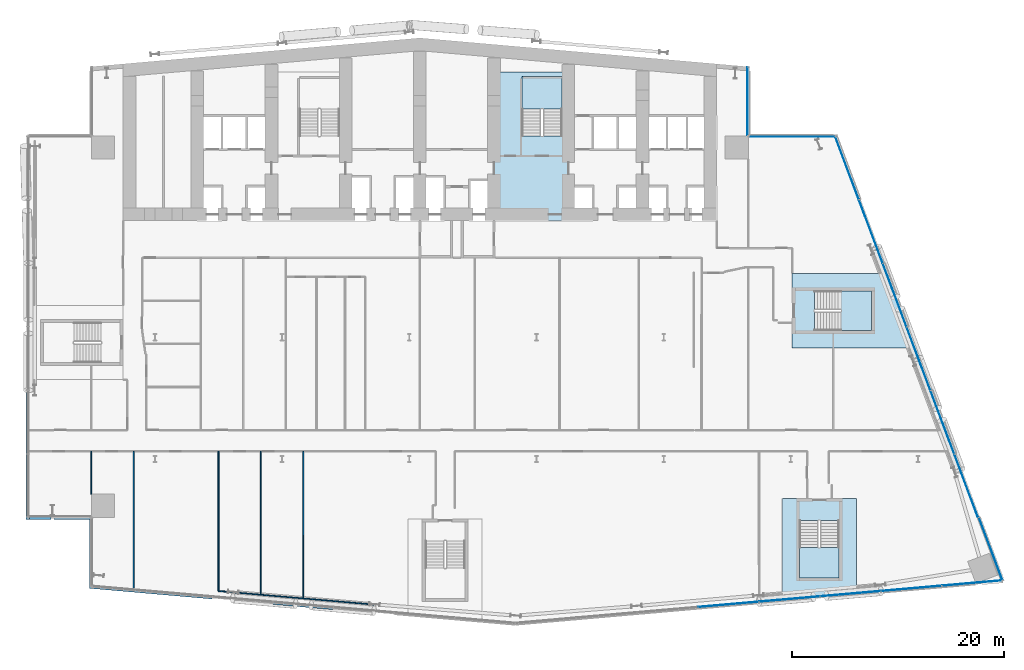
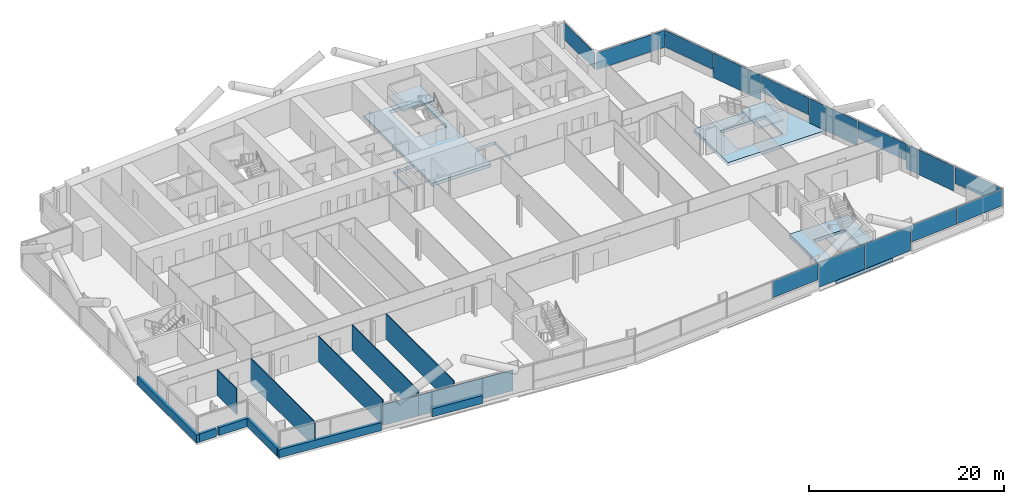
# One storey, part 12 of 27: 14 plates, 13 walls, 6 slabs, 7 elements without a shape of their own.
"""IFC4 building model written with IfcOpenShell, lengths in metres."""

from ifc_helpers import new_model, si_unit, direction, frame, frame_2d, origin, origin_2d, place, context, subcontext, project, spatial, polyline, rectangle, outline, extrude, material, layer, layer_set, type_object, element, aggregate, save


model = new_model("IFC4")

# Units and contexts
model_context = context("Model", 3, precision=1e-05, world=origin(), true_north=direction((0.0, 1.0)))
body_context = subcontext(model_context, "Body", "Model", "MODEL_VIEW")
ifc_project = project(units=[si_unit("LENGTHUNIT", "METRE"), si_unit("AREAUNIT", "SQUARE_METRE"), si_unit("VOLUMEUNIT", "CUBIC_METRE"), si_unit("PLANEANGLEUNIT", "RADIAN"), si_unit("MASSUNIT", "GRAM", prefix="KILO")], contexts=[model_context])

# Site, building, storey
site_placement = place(None, origin())
site = spatial("IfcSite", under=ifc_project, at=site_placement, CompositionType="ELEMENT")
building_placement = place(site_placement, origin())
building = spatial("IfcBuilding", under=site, at=building_placement, Name="Wharfspan Tower", CompositionType="ELEMENT")
storey_placement = place(building_placement, frame((0.0, 0.0, 45.100098)))
storey = spatial("IfcBuildingStorey", under=building, at=storey_placement, Name="L07", CompositionType="ELEMENT", Elevation=45.100098)

# Curtain wall, plates
ifc_material_1 = material(Name="Aluminium 6063-T6", Category="aluminium")
curtain_wall_type_1 = type_object("IfcCurtainWallType", Name="CURTAIN WALL FACETED FRONT", PredefinedType="NOTDEFINED", material=ifc_material_1)
curtain_wall_1_placement = place(storey_placement, origin())
curtain_wall_1 = element("IfcCurtainWall", 1, at=curtain_wall_1_placement, inside=storey, type_object=curtain_wall_type_1, Name="Curtain wall S2", PredefinedType="NOTDEFINED")
ifc_material_2 = material(Name="Glass clear low-iron double glazing", Category="glass")
ifc_layer_1 = layer(ifc_material_2, 0.040039)
ifc_layer_set_1 = layer_set([ifc_layer_1], Name="Glass clear low-iron double glazing")
plate_type_1 = type_object("IfcPlateType", Name="GLASS PANEL FACETED FRONT 40", PredefinedType="CURTAIN_PANEL", material=ifc_layer_set_1)
plate_1_placement = place(storey_placement, frame((66.119873, -2.204102, 0.999756), z_axis=(0.0, 0.0, 1.0), x_axis=(0.996197, 0.087156, 0.0)))
plate_1 = element("IfcPlate", 2, at=plate_1_placement, type_object=plate_type_1, Name="Curtain wall S2 panel 4", PredefinedType="CURTAIN_PANEL", context=body_context, shape_type="SweptSolid", body=[
    extrude(rectangle(XDim=5.711914, YDim=0.040039, at=origin_2d()), origin(), (0.0, 0.0, 1.0), 2.120117),
])
plate_2_placement = place(storey_placement, frame((83.369873, -0.694824, 0.999756), z_axis=(0.0, 0.0, 1.0), x_axis=(0.996197, 0.087156, 0.0)))
plate_2 = element("IfcPlate", 3, at=plate_2_placement, type_object=plate_type_1, Name="Curtain wall S2 panel 7", PredefinedType="CURTAIN_PANEL", context=body_context, shape_type="SweptSolid", body=[
    extrude(rectangle(XDim=5.711914, YDim=0.040039, at=origin_2d()), origin(), (0.0, 0.0, 1.0), 2.120117),
])
plate_3_placement = place(storey_placement, frame((89.104736, -0.193115, 0.999756), z_axis=(0.0, 0.0, 1.0), x_axis=(0.996197, 0.087156, 0.0)))
plate_3 = element("IfcPlate", 4, at=plate_3_placement, type_object=plate_type_1, Name="Curtain wall S2 panel 8", PredefinedType="CURTAIN_PANEL", context=body_context, shape_type="SweptSolid", body=[
    extrude(rectangle(XDim=5.681885, YDim=0.040039, at=origin_2d()), origin(), (0.0, 0.0, 1.0), 2.120117),
])

curtain_wall_type_2 = type_object("IfcCurtainWallType", Name="CURTAIN WALL PROW AND END", PredefinedType="NOTDEFINED", material=ifc_material_1)
curtain_wall_2_placement = place(storey_placement, origin())
curtain_wall_2 = element("IfcCurtainWall", 5, at=curtain_wall_2_placement, inside=storey, type_object=curtain_wall_type_2, Name="Curtain wall E", PredefinedType="NOTDEFINED")
ifc_layer_2 = layer(ifc_material_2, 0.040039)
ifc_layer_set_2 = layer_set([ifc_layer_2], Name="Glass clear low-iron double glazing")
plate_type_2 = type_object("IfcPlateType", Name="GLASS PANEL PROW AND END 40", PredefinedType="CURTAIN_PANEL", material=ifc_layer_set_2)
plate_4_placement = place(storey_placement, frame((90.869629, 3.01416, 0.999756), z_axis=(0.0, 0.0, 1.0), x_axis=(-0.351123, 0.936328, 0.0)))
plate_4 = element("IfcPlate", 6, at=plate_4_placement, type_object=plate_type_2, Name="Curtain wall E panel 1", PredefinedType="CURTAIN_PANEL", context=body_context, shape_type="SweptSolid", body=[
    extrude(rectangle(XDim=6.318115, YDim=0.040039, at=origin_2d()), origin(), (0.0, 0.0, 1.0), 2.120117),
])
plate_5_placement = place(storey_placement, frame((86.300049, 14.971924, 0.999756), z_axis=(0.0, 0.0, 1.0), x_axis=(-0.351123, 0.936328, 0.0)))
plate_5 = element("IfcPlate", 7, at=plate_5_placement, type_object=plate_type_2, Name="Curtain wall E panel 3", PredefinedType="CURTAIN_PANEL", context=body_context, shape_type="SweptSolid", body=[
    extrude(rectangle(XDim=6.3479, YDim=0.040039, at=origin_2d()), origin(), (0.0, 0.0, 1.0), 2.120117),
])
plate_6_placement = place(storey_placement, frame((81.800049, 26.971924, 0.999756), z_axis=(0.0, 0.0, 1.0), x_axis=(-0.351123, 0.936328, 0.0)))
plate_6 = element("IfcPlate", 8, at=plate_6_placement, type_object=plate_type_2, Name="Curtain wall E panel 5", PredefinedType="CURTAIN_PANEL", context=body_context, shape_type="SweptSolid", body=[
    extrude(rectangle(XDim=6.3479, YDim=0.040039, at=origin_2d()), origin(), (0.0, 0.0, 1.0), 2.120117),
])
plate_7_placement = place(storey_placement, frame((77.30542, 38.957764, 0.999756), z_axis=(0.0, 0.0, 1.0), x_axis=(-0.351123, 0.936328, 0.0)))
plate_7 = element("IfcPlate", 9, at=plate_7_placement, type_object=plate_type_2, Name="Curtain wall E panel 7", PredefinedType="CURTAIN_PANEL", context=body_context, shape_type="SweptSolid", body=[
    extrude(rectangle(XDim=6.318115, YDim=0.040039, at=origin_2d()), origin(), (0.0, 0.0, 1.0), 2.120117),
])

# Curtain wall, plate
curtain_wall_3_placement = place(storey_placement, origin())
curtain_wall_3 = element("IfcCurtainWall", 10, at=curtain_wall_3_placement, inside=storey, type_object=curtain_wall_type_2, Name="Curtain wall NRE-H", PredefinedType="NOTDEFINED")
plate_8_placement = place(storey_placement, frame((72.125, 41.919922, 0.999756), z_axis=(0.0, 0.0, 1.0), x_axis=(-1.0, 0.0, 0.0)))
plate_8 = element("IfcPlate", 11, at=plate_8_placement, type_object=plate_type_2, Name="Curtain wall NRE-H panel 1", PredefinedType="CURTAIN_PANEL", context=body_context, shape_type="SweptSolid", body=[
    extrude(rectangle(XDim=8.129883, YDim=0.040039, at=origin_2d()), origin(), (0.0, 0.0, 1.0), 2.120117),
])
aggregate(curtain_wall_3, [plate_8])

curtain_wall_4_placement = place(storey_placement, origin())
curtain_wall_4 = element("IfcCurtainWall", 12, at=curtain_wall_4_placement, inside=storey, type_object=curtain_wall_type_2, Name="Curtain wall NRE-V", PredefinedType="NOTDEFINED")
plate_9_placement = place(storey_placement, frame((67.919922, 45.262451, 0.999756), z_axis=(0.0, 0.0, 1.0), x_axis=(0.0, 1.0, 0.0)))
plate_9 = element("IfcPlate", 13, at=plate_9_placement, type_object=plate_type_2, Name="Curtain wall NRE-V panel 1", PredefinedType="CURTAIN_PANEL", context=body_context, shape_type="SweptSolid", body=[
    extrude(rectangle(XDim=6.405029, YDim=0.040039, at=origin_2d()), origin(), (0.0, 0.0, 1.0), 2.120117),
])
aggregate(curtain_wall_4, [plate_9])

# Plate
ifc_material_3 = material(Name="Aluminium composite opaque insulated panel", Category="aluminium")
ifc_layer_3 = layer(ifc_material_3, 0.040039)
ifc_layer_set_3 = layer_set([ifc_layer_3], Name="Aluminium composite opaque insulated panel")
plate_type_3 = type_object("IfcPlateType", Name="INFILL PANEL FACETED FRONT OPAQUE 40", PredefinedType="SHEET", material=ifc_layer_set_3)
plate_10_placement = place(storey_placement, frame((71.869873, -1.700928, -0.000244), z_axis=(0.0, 0.0, 1.0), x_axis=(0.996197, 0.087156, 0.0)))
plate_10 = element("IfcPlate", 14, at=plate_10_placement, type_object=plate_type_3, Name="Curtain wall S2 panel 5", PredefinedType="SHEET", context=body_context, shape_type="SweptSolid", body=[
    extrude(rectangle(XDim=5.711914, YDim=0.040039, at=origin_2d()), origin(), (0.0, 0.0, 1.0), 3.120117),
])

plate_11_placement = place(storey_placement, frame((77.619873, -1.197998, -0.000244), z_axis=(0.0, 0.0, 1.0), x_axis=(0.996197, 0.087156, 0.0)))
plate_11 = element("IfcPlate", 15, at=plate_11_placement, type_object=plate_type_3, Name="Curtain wall S2 panel 6", PredefinedType="SHEET", context=body_context, shape_type="SweptSolid", body=[
    extrude(rectangle(XDim=5.711914, YDim=0.040039, at=origin_2d()), origin(), (0.0, 0.0, 1.0), 3.120117),
])

aggregate(curtain_wall_1, [plate_1, plate_10, plate_11, plate_2, plate_3])

ifc_layer_4 = layer(ifc_material_3, 0.040039)
ifc_layer_set_4 = layer_set([ifc_layer_4], Name="Aluminium composite opaque insulated panel")
plate_type_4 = type_object("IfcPlateType", Name="INFILL PANEL PROW AND END OPAQUE 40", PredefinedType="SHEET", material=ifc_layer_set_4)
plate_12_placement = place(storey_placement, frame((88.550049, 8.971924, -0.000244), z_axis=(0.0, 0.0, 1.0), x_axis=(-0.351123, 0.936328, 0.0)))
plate_12 = element("IfcPlate", 16, at=plate_12_placement, type_object=plate_type_4, Name="Curtain wall E panel 2", PredefinedType="SHEET", context=body_context, shape_type="SweptSolid", body=[
    extrude(rectangle(XDim=6.3479, YDim=0.040039, at=origin_2d()), origin(), (0.0, 0.0, 1.0), 3.120117),
])

plate_13_placement = place(storey_placement, frame((84.050049, 20.971924, -0.000244), z_axis=(0.0, 0.0, 1.0), x_axis=(-0.351123, 0.936328, 0.0)))
plate_13 = element("IfcPlate", 17, at=plate_13_placement, type_object=plate_type_4, Name="Curtain wall E panel 4", PredefinedType="SHEET", context=body_context, shape_type="SweptSolid", body=[
    extrude(rectangle(XDim=6.3479, YDim=0.040039, at=origin_2d()), origin(), (0.0, 0.0, 1.0), 3.120117),
])

plate_14_placement = place(storey_placement, frame((79.550049, 32.971924, -0.000244), z_axis=(0.0, 0.0, 1.0), x_axis=(-0.351123, 0.936328, 0.0)))
plate_14 = element("IfcPlate", 18, at=plate_14_placement, type_object=plate_type_4, Name="Curtain wall E panel 6", PredefinedType="SHEET", context=body_context, shape_type="SweptSolid", body=[
    extrude(rectangle(XDim=6.3479, YDim=0.040039, at=origin_2d()), origin(), (0.0, 0.0, 1.0), 3.120117),
])

aggregate(curtain_wall_2, [plate_4, plate_12, plate_5, plate_13, plate_6, plate_14, plate_7])

# Slabs
ifc_material_4 = material(Name="Concrete C40/50", Category="concrete")
ifc_layer_5 = layer(ifc_material_4, 0.399902)
ifc_layer_set_5 = layer_set([ifc_layer_5], Name="Concrete C40/50")
slab_type_1 = type_object("IfcSlabType", Name="Post-tensioned flat slab 400", PredefinedType="FLOOR", material=ifc_layer_set_5)
slab_1_placement = place(storey_placement, frame((0.0, 0.0, -0.400146)))
element("IfcSlab", 19, at=slab_1_placement, inside=storey, type_object=slab_type_1, Name="Core floor slab L07 part 4", PredefinedType="FLOOR", context=body_context, shape_type="SweptSolid", body=[
    extrude(outline(polyline([(53.341309, 34.0), (53.341309, 37.258057), (51.01001, 37.258057), (51.009766, 37.258057), (51.009521, 37.258057), (51.009521, 37.258057), (51.009277, 37.258301), (51.009033, 37.258301), (51.008789, 37.258301), (51.008789, 37.258545), (51.008545, 37.258545), (51.008545, 37.258789), (51.008301, 37.258789), (51.008301, 37.259033), (51.008301, 37.259277), (51.008057, 37.259521), (51.008057, 37.259521), (51.008057, 37.259766), (51.008057, 37.26001), (51.008057, 48.008057), (43.991943, 48.008057), (43.991943, 37.860107), (43.991943, 37.859863), (43.991943, 37.859619), (43.991943, 37.859375), (43.991699, 37.859131), (43.991699, 37.859131), (43.991699, 37.858887), (43.991455, 37.858643), (43.991455, 37.858643), (43.991211, 37.858398), (43.991211, 37.858398), (43.990967, 37.858154), (43.990723, 37.858154), (43.990479, 37.858154), (43.990479, 37.85791), (43.990234, 37.85791), (43.98999, 37.85791), (41.658691, 37.85791), (41.658691, 34.0), (41.664795, 34.0), (41.664795, 37.850098), (41.664795, 37.850098), (41.664795, 37.850342), (41.664795, 37.850586), (41.664795, 37.85083), (41.664795, 37.85083), (41.665039, 37.851074), (41.665039, 37.851318), (41.665283, 37.851318), (41.665283, 37.851562), (41.665527, 37.851807), (41.665771, 37.851807), (41.666016, 37.851807), (41.666016, 37.851807), (41.66626, 37.852051), (41.666504, 37.852051), (41.666748, 37.852051), (44.0, 37.852051), (44.000244, 37.852051), (44.000488, 37.852051), (44.000488, 37.851807), (44.000732, 37.851807), (44.000977, 37.851807), (44.001221, 37.851807), (44.001221, 37.851562), (44.001465, 37.851318), (44.001465, 37.851318), (44.001709, 37.851074), (44.001709, 37.85083), (44.001709, 37.85083), (44.001953, 37.850586), (44.001953, 37.850342), (44.001953, 37.850098), (44.001953, 37.850098), (44.001953, 34.0), (50.998047, 34.0), (50.998047, 37.25), (50.998047, 37.250244), (50.998047, 37.250488), (50.998047, 37.250488), (50.998291, 37.250732), (50.998291, 37.250977), (50.998291, 37.251221), (50.998535, 37.251221), (50.998535, 37.251465), (50.998779, 37.251465), (50.998779, 37.251709), (50.999023, 37.251709), (50.999268, 37.251709), (50.999512, 37.251953), (50.999512, 37.251953), (50.999756, 37.251953), (51.0, 37.251953), (53.333252, 37.251953), (53.333496, 37.251953), (53.33374, 37.251953), (53.333984, 37.251953), (53.333984, 37.251709), (53.334229, 37.251709), (53.334473, 37.251709), (53.334717, 37.251465), (53.334717, 37.251465), (53.334961, 37.251221), (53.334961, 37.251221), (53.335205, 37.250977), (53.335205, 37.250732), (53.335205, 37.250488), (53.335205, 37.250488), (53.335205, 37.250244), (53.335205, 37.25), (53.335205, 34.0), (53.341309, 34.0)]), holes=[polyline([(46.649902, 41.998047), (46.649902, 41.998047), (46.649658, 41.998047), (46.649414, 41.998047), (46.64917, 41.998291), (46.64917, 41.998291), (46.648926, 41.998291), (46.648682, 41.998535), (46.648682, 41.998535), (46.648438, 41.998779), (46.648193, 41.998779), (46.648193, 41.999023), (46.648193, 41.999268), (46.648193, 41.999512), (46.647949, 41.999512), (46.647949, 41.999756), (46.647949, 42.0), (46.647949, 47.399902), (46.647949, 47.400146), (46.647949, 47.400391), (46.648193, 47.400635), (46.648193, 47.400879), (46.648193, 47.400879), (46.648193, 47.401123), (46.648438, 47.401367), (46.648682, 47.401367), (46.648682, 47.401611), (46.648926, 47.401611), (46.64917, 47.401855), (46.64917, 47.401855), (46.649414, 47.401855), (46.649658, 47.4021), (46.649902, 47.4021), (46.649902, 47.4021), (50.399902, 47.4021), (50.400146, 47.4021), (50.400391, 47.4021), (50.400635, 47.401855), (50.400879, 47.401855), (50.400879, 47.401855), (50.401123, 47.401611), (50.401367, 47.401611), (50.401367, 47.401367), (50.401611, 47.401367), (50.401611, 47.401123), (50.401855, 47.400879), (50.401855, 47.400879), (50.401855, 47.400635), (50.4021, 47.400391), (50.4021, 47.400146), (50.4021, 47.399902), (50.4021, 42.0), (50.4021, 41.999756), (50.4021, 41.999512), (50.401855, 41.999512), (50.401855, 41.999268), (50.401855, 41.999023), (50.401611, 41.998779), (50.401611, 41.998779), (50.401367, 41.998535), (50.401367, 41.998535), (50.401123, 41.998291), (50.400879, 41.998291), (50.400879, 41.998291), (50.400635, 41.998047), (50.400391, 41.998047), (50.400146, 41.998047), (50.399902, 41.998047), (46.649902, 41.998047)])]), origin(), (0.0, 0.0, 1.0), 0.400146),
])
slab_2_placement = place(storey_placement, frame((0.0, 0.0, -0.400146)))
element("IfcSlab", 20, at=slab_2_placement, inside=storey, type_object=slab_type_1, Name="Core floor slab L07 part 5", PredefinedType="FLOOR", context=body_context, shape_type="SweptSolid", body=[
    extrude(outline(polyline([(78.192383, 7.791992), (76.867432, 7.791992), (72.517578, 7.791992), (71.192383, 7.791992), (71.192383, -1.820312), (78.192383, -1.208008), (78.192383, 7.791992)]), holes=[polyline([(76.567383, 5.694092), (76.567627, 5.694092), (76.567871, 5.694092), (76.568115, 5.693848), (76.568115, 5.693848), (76.568359, 5.693848), (76.568604, 5.693604), (76.568604, 5.693604), (76.568848, 5.693359), (76.569092, 5.693359), (76.569092, 5.693115), (76.569092, 5.692871), (76.569336, 5.692871), (76.569336, 5.692627), (76.569336, 5.692383), (76.56958, 5.692139), (76.56958, 5.691895), (76.56958, 0.291992), (76.56958, 0.291748), (76.569336, 0.291504), (76.569336, 0.291504), (76.569336, 0.29126), (76.569092, 0.291016), (76.569092, 0.291016), (76.569092, 0.290771), (76.568848, 0.290527), (76.568604, 0.290527), (76.568604, 0.290283), (76.568359, 0.290283), (76.568115, 0.290283), (76.568115, 0.290039), (76.567871, 0.290039), (76.567627, 0.290039), (76.567383, 0.290039), (72.817383, 0.290039), (72.817383, 0.290039), (72.817139, 0.290039), (72.816895, 0.290039), (72.81665, 0.290283), (72.816406, 0.290283), (72.816406, 0.290283), (72.816162, 0.290527), (72.816162, 0.290527), (72.815918, 0.290771), (72.815918, 0.291016), (72.815674, 0.291016), (72.815674, 0.29126), (72.815674, 0.291504), (72.81543, 0.291504), (72.81543, 0.291748), (72.81543, 0.291992), (72.81543, 5.691895), (72.81543, 5.692139), (72.81543, 5.692383), (72.815674, 5.692627), (72.815674, 5.692871), (72.815674, 5.692871), (72.815918, 5.693115), (72.815918, 5.693359), (72.816162, 5.693359), (72.816162, 5.693604), (72.816406, 5.693604), (72.816406, 5.693848), (72.81665, 5.693848), (72.816895, 5.693848), (72.817139, 5.694092), (72.817383, 5.694092), (72.817383, 5.694092), (76.567383, 5.694092)])]), origin(), (0.0, 0.0, 1.0), 0.400146),
])
slab_3_placement = place(storey_placement, frame((0.0, 0.0, -0.400146)))
element("IfcSlab", 21, at=slab_3_placement, inside=storey, type_object=slab_type_1, Name="Core floor slab L07 part 6", PredefinedType="FLOOR", context=body_context, shape_type="SweptSolid", body=[
    extrude(outline(polyline([(81.125, 29.0), (72.125, 29.0), (72.125, 27.675049), (72.125, 23.324951), (72.125, 22.0), (83.75, 22.0), (81.125, 29.0)]), holes=[polyline([(74.2229, 27.375), (74.2229, 27.375244), (74.2229, 27.375488), (74.223145, 27.375488), (74.223145, 27.375732), (74.223145, 27.375977), (74.223389, 27.376221), (74.223389, 27.376221), (74.223633, 27.376465), (74.223633, 27.376465), (74.223877, 27.376709), (74.224121, 27.376709), (74.224121, 27.376709), (74.224365, 27.376953), (74.224609, 27.376953), (74.224854, 27.376953), (74.225098, 27.376953), (79.625, 27.376953), (79.625244, 27.376953), (79.625488, 27.376953), (79.625488, 27.376953), (79.625732, 27.376709), (79.625977, 27.376709), (79.626221, 27.376709), (79.626221, 27.376465), (79.626465, 27.376465), (79.626465, 27.376221), (79.626709, 27.376221), (79.626709, 27.375977), (79.626709, 27.375732), (79.626953, 27.375488), (79.626953, 27.375488), (79.626953, 27.375244), (79.626953, 27.375), (79.626953, 23.625), (79.626953, 23.624756), (79.626953, 23.624512), (79.626953, 23.624512), (79.626709, 23.624268), (79.626709, 23.624023), (79.626709, 23.623779), (79.626465, 23.623779), (79.626465, 23.623535), (79.626221, 23.623535), (79.626221, 23.623291), (79.625977, 23.623291), (79.625732, 23.623291), (79.625488, 23.623047), (79.625488, 23.623047), (79.625244, 23.623047), (79.625, 23.623047), (74.225098, 23.623047), (74.224854, 23.623047), (74.224609, 23.623047), (74.224365, 23.623047), (74.224121, 23.623291), (74.224121, 23.623291), (74.223877, 23.623291), (74.223633, 23.623535), (74.223633, 23.623535), (74.223389, 23.623779), (74.223389, 23.623779), (74.223145, 23.624023), (74.223145, 23.624268), (74.223145, 23.624512), (74.2229, 23.624512), (74.2229, 23.624756), (74.2229, 23.625), (74.2229, 27.375)])]), origin(), (0.0, 0.0, 1.0), 0.400146),
])

# Stair, slab
stair_type = type_object("IfcStairType", Name="Half-turn stair 20 risers 180 mm", PredefinedType="HALF_TURN_STAIR", material=ifc_material_4)
stair_1_placement = place(storey_placement, origin())
stair_1 = element("IfcStair", 22, at=stair_1_placement, inside=storey, type_object=stair_type, Name="L07 stair ST2", PredefinedType="HALF_TURN_STAIR")
ifc_layer_6 = layer(ifc_material_4, 0.199951)
ifc_layer_set_6 = layer_set([ifc_layer_6], Name="Concrete C40/50")
slab_type_2 = type_object("IfcSlabType", Name="Stair landing 200", PredefinedType="LANDING", material=ifc_layer_set_6)
slab_4_placement = place(storey_placement, frame((0.0, 0.0, 1.599609)))
slab_4 = element("IfcSlab", 23, at=slab_4_placement, type_object=slab_type_2, Name="ST2 landing 1", PredefinedType="LANDING", context=body_context, shape_type="SweptSolid", body=[
    extrude(outline(polyline([(46.649902, 44.52002), (50.399902, 44.52002), (50.399902, 47.582764), (46.649902, 47.582764), (46.649902, 44.52002)])), origin(), (0.0, 0.0, 1.0), 0.200195),
])
aggregate(stair_1, [slab_4])

stair_2_placement = place(storey_placement, origin())
stair_2 = element("IfcStair", 24, at=stair_2_placement, inside=storey, type_object=stair_type, Name="L07 stair ST5", PredefinedType="HALF_TURN_STAIR")
slab_5_placement = place(storey_placement, frame((0.0, 0.0, 1.599609)))
slab_5 = element("IfcSlab", 25, at=slab_5_placement, type_object=slab_type_2, Name="ST5 landing 1", PredefinedType="LANDING", context=body_context, shape_type="SweptSolid", body=[
    extrude(outline(polyline([(72.817383, 3.172119), (72.817383, 0.291992), (76.567383, 0.291992), (76.567383, 3.172119), (72.817383, 3.172119)])), origin(), (0.0, 0.0, 1.0), 0.200195),
])
aggregate(stair_2, [slab_5])

stair_3_placement = place(storey_placement, origin())
stair_3 = element("IfcStair", 26, at=stair_3_placement, inside=storey, type_object=stair_type, Name="L07 stair ST6", PredefinedType="HALF_TURN_STAIR")
slab_6_placement = place(storey_placement, frame((0.0, 0.0, 1.599609)))
slab_6 = element("IfcSlab", 27, at=slab_6_placement, type_object=slab_type_2, Name="ST6 landing 1", PredefinedType="LANDING", context=body_context, shape_type="SweptSolid", body=[
    extrude(outline(polyline([(76.745117, 23.625), (79.625, 23.625), (79.625, 27.375), (76.745117, 27.375), (76.745117, 23.625)])), origin(), (0.0, 0.0, 1.0), 0.200195),
])
aggregate(stair_3, [slab_6])

# Walls
ifc_material_5 = material(Name="Gypsum board on steel studs", Category="steel")
ifc_layer_7 = layer(ifc_material_5, 0.100098)
ifc_layer_set_7 = layer_set([ifc_layer_7], Name="Gypsum board on steel studs")
wall_type_1 = type_object("IfcWallType", Name="Compartment wall 100 EI 60", PredefinedType="PARTITIONING", material=ifc_layer_set_7)
wall_1_placement = place(storey_placement, frame((6.0, 8.209961, 0.0), z_axis=(0.0, 0.0, 1.0), x_axis=(0.0, 1.0, 0.0)))
element("IfcWall", 28, at=wall_1_placement, inside=storey, type_object=wall_type_1, Name="Partition L07.w006", PredefinedType="PARTITIONING", context=body_context, shape_type="SweptSolid", body=[
    extrude(rectangle(XDim=4.025146, YDim=0.100098, at=frame_2d((2.012695, 0.0))), origin(), (0.0, 0.0, 1.0), 3.199951),
])
wall_2_placement = place(storey_placement, frame((10.0, -0.854736, 0.0), z_axis=(0.0, 0.0, 1.0), x_axis=(0.0, 1.0, 0.0)))
element("IfcWall", 29, at=wall_2_placement, inside=storey, type_object=wall_type_1, Name="Partition L07.w011", PredefinedType="PARTITIONING", context=body_context, shape_type="SweptSolid", body=[
    extrude(rectangle(XDim=13.089844, YDim=0.100098, at=frame_2d((6.544922, 0.0))), origin(), (0.0, 0.0, 1.0), 3.199951),
])
wall_3_placement = place(storey_placement, frame((18.0, -0.939941, 0.0), z_axis=(0.0, 0.0, 1.0), x_axis=(0.0, 1.0, 0.0)))
element("IfcWall", 30, at=wall_3_placement, inside=storey, type_object=wall_type_1, Name="Partition L07.w024", PredefinedType="PARTITIONING", context=body_context, shape_type="SweptSolid", body=[
    extrude(rectangle(XDim=13.175049, YDim=0.100098, at=frame_2d((6.587402, 0.0))), origin(), (0.0, 0.0, 1.0), 3.199951),
])
wall_4_placement = place(storey_placement, frame((22.0, -1.294922, 0.0), z_axis=(0.0, 0.0, 1.0), x_axis=(0.0, 1.0, 0.0)))
element("IfcWall", 31, at=wall_4_placement, inside=storey, type_object=wall_type_1, Name="Partition L07.w027", PredefinedType="PARTITIONING", context=body_context, shape_type="SweptSolid", body=[
    extrude(rectangle(XDim=13.530029, YDim=0.100098, at=frame_2d((6.765137, 0.0))), origin(), (0.0, 0.0, 1.0), 3.199951),
])
wall_5_placement = place(storey_placement, frame((26.0, -1.64502, 0.0), z_axis=(0.0, 0.0, 1.0), x_axis=(-0.000352, 1.000004, 0.0)))
element("IfcWall", 32, at=wall_5_placement, inside=storey, type_object=wall_type_1, Name="Partition L07.w030", PredefinedType="PARTITIONING", context=body_context, shape_type="SweptSolid", body=[
    extrude(rectangle(XDim=13.880127, YDim=0.100098, at=frame_2d((6.939941, 0.0))), origin(), (0.0, 0.0, 1.0), 3.199951),
])
ifc_layer_8 = layer(ifc_material_5, 0.100098)
ifc_layer_set_8 = layer_set([ifc_layer_8], Name="Gypsum board on steel studs")
wall_type_2 = type_object("IfcWallType", Name="Partition 100", PredefinedType="PARTITIONING", material=ifc_layer_set_8)
wall_6_placement = place(storey_placement, frame((22.0, -1.294922, 0.0), z_axis=(0.0, 0.0, 1.0), x_axis=(-0.99611, 0.088069, 0.0)))
element("IfcWall", 33, at=wall_6_placement, inside=storey, type_object=wall_type_2, Name="Partition L07.w026", PredefinedType="PARTITIONING", context=body_context, shape_type="SweptSolid", body=[
    extrude(rectangle(XDim=4.016846, YDim=0.100098, at=frame_2d((2.008301, 0.0))), origin(), (0.0, 0.0, 1.0), 2.579834),
])
wall_7_placement = place(storey_placement, frame((32.665039, -2.225098, 0.0), z_axis=(0.0, 0.0, 1.0), x_axis=(-0.99623, 0.086702, 0.0)))
element("IfcWall", 34, at=wall_7_placement, inside=storey, type_object=wall_type_2, Name="Partition L07.w034", PredefinedType="PARTITIONING", context=body_context, shape_type="SweptSolid", body=[
    extrude(rectangle(XDim=10.705811, YDim=0.100098, at=frame_2d((5.353027, 0.0))), origin(), (0.0, 0.0, 1.0), 2.579834),
])
ifc_layer_9 = layer(ifc_material_4, 0.350098)
ifc_layer_set_9 = layer_set([ifc_layer_9], Name="Concrete C40/50")
wall_type_3 = type_object("IfcWallType", Name="SPANDREL EXPOSED CONCRETE 350", PredefinedType="SOLIDWALL", material=ifc_layer_set_9)
wall_8_placement = place(storey_placement, frame((5.835205, -0.515625, 0.0), z_axis=(0.0, 0.0, 1.0), x_axis=(0.996192, -0.087142, 0.0)))
element("IfcWall", 35, at=wall_8_placement, inside=storey, type_object=wall_type_3, Name="Spandrel upstand L07 S1 1", PredefinedType="SOLIDWALL", context=body_context, shape_type="SweptSolid", body=[
    extrude(rectangle(XDim=11.607178, YDim=0.350098, at=frame_2d((5.803711, 0.0))), origin(), (0.0, 0.0, 1.0), 1.0),
])
wall_9_placement = place(storey_placement, frame((23.172363, -2.032227, 0.0), z_axis=(0.0, 0.0, 1.0), x_axis=(0.996196, -0.087185, 0.0)))
element("IfcWall", 36, at=wall_9_placement, inside=storey, type_object=wall_type_3, Name="Spandrel upstand L07 S1 2", PredefinedType="SOLIDWALL", context=body_context, shape_type="SweptSolid", body=[
    extrude(rectangle(XDim=5.67627, YDim=0.350098, at=frame_2d((2.838135, 0.0))), origin(), (0.0, 0.0, 1.0), 1.0),
])
wall_10_placement = place(storey_placement, frame((-0.004883, 17.969971, 0.0), z_axis=(0.0, 0.0, 1.0), x_axis=(0.0, -1.0, 0.0)))
element("IfcWall", 37, at=wall_10_placement, inside=storey, type_object=wall_type_3, Name="Spandrel upstand L07 W", PredefinedType="SOLIDWALL", context=body_context, shape_type="SweptSolid", body=[
    extrude(rectangle(XDim=12.149902, YDim=0.350098, at=frame_2d((6.074951, 0.0))), origin(), (0.0, 0.0, 1.0), 1.0),
])
wall_11_placement = place(storey_placement, frame((0.169922, 5.995117, 0.0), z_axis=(0.0, 0.0, 1.0), x_axis=(1.0, 0.0, 0.0)))
element("IfcWall", 38, at=wall_11_placement, inside=storey, type_object=wall_type_3, Name="Spandrel upstand L07 NFW-H", PredefinedType="SOLIDWALL", context=body_context, shape_type="SweptSolid", body=[
    extrude(rectangle(XDim=2.010742, YDim=0.350098, at=frame_2d((1.005371, 0.0))), origin(), (0.0, 0.0, 1.0), 1.0),
])
wall_12_placement = place(storey_placement, frame((2.482666, 5.995117, 0.0), z_axis=(0.0, 0.0, 1.0), x_axis=(1.0, 0.0, 0.0)))
element("IfcWall", 39, at=wall_12_placement, inside=storey, type_object=wall_type_3, Name="Spandrel upstand L07 NFW-H 2", PredefinedType="SOLIDWALL", context=body_context, shape_type="SweptSolid", body=[
    extrude(rectangle(XDim=3.517334, YDim=0.350098, at=frame_2d((1.758789, 0.0))), origin(), (0.0, 0.0, 1.0), 1.0),
])
wall_13_placement = place(storey_placement, frame((5.995117, 5.820068, 0.0), z_axis=(0.0, 0.0, 1.0), x_axis=(0.0, -1.0, 0.0)))
element("IfcWall", 40, at=wall_13_placement, inside=storey, type_object=wall_type_3, Name="Spandrel upstand L07 NFW-V", PredefinedType="SOLIDWALL", context=body_context, shape_type="SweptSolid", body=[
    extrude(rectangle(XDim=6.161377, YDim=0.350098, at=frame_2d((3.080566, 0.0))), origin(), (0.0, 0.0, 1.0), 1.0),
])

save(model, "model.ifc")
